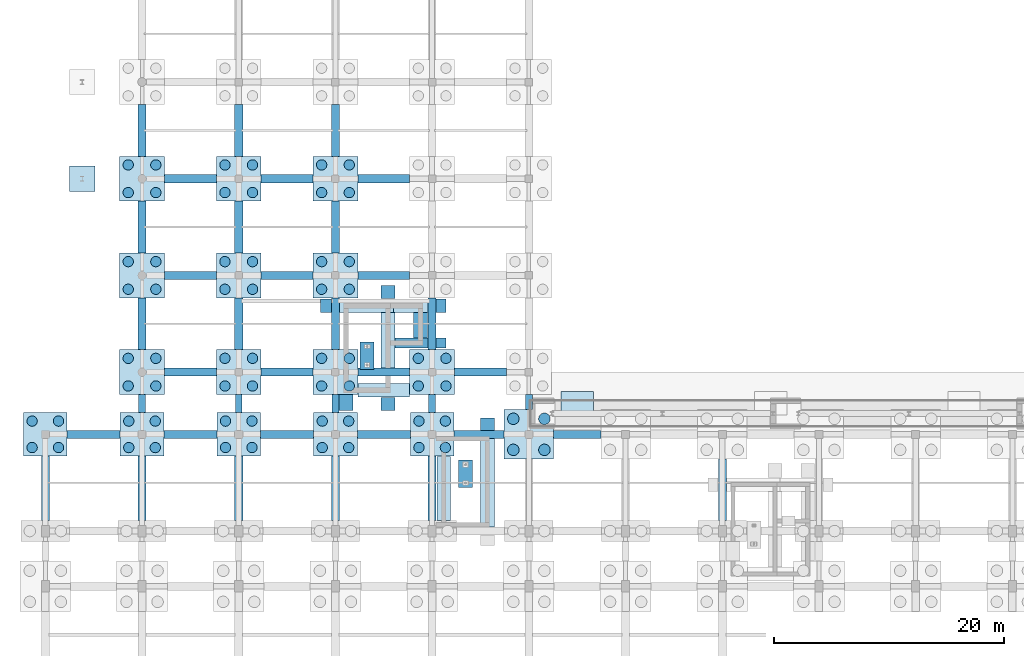
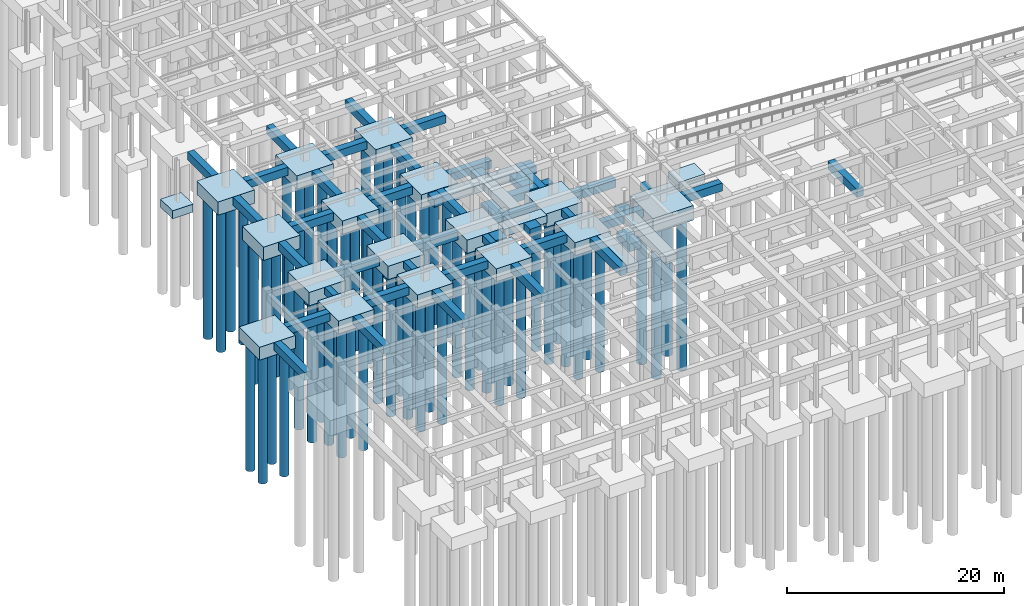
# One storey, part 2 of 49: 72 footings, 64 piles.
"""IFC4 building model written with IfcOpenShell, lengths in metres."""

import ifcopenshell
import ifcopenshell.guid

model = None  # the IFC model being written
_history = None  # IfcOwnerHistory: only IFC2X3 demands one
_inside = {}  # id of a spatial element -> (the spatial element, [elements in it])
_under = {}  # id of a project, library or spatial element -> (it, [spatial elements below it])
_declared = {}  # id of a project -> (the project, [libraries it declares])
_typed = {}  # id of a type object -> (the type object, [elements of that type])
_made_of = {}  # id of a material, layer set ... -> (it, [elements and type objects made of it])


def new_model(schema):
    """Start an empty IFC model of exactly this schema.

    Asked for "IFC4X3", IfcOpenShell would pick the latest addendum, in which some entities
    have other attributes; the version numbers below select the first issue.
    IFC2X3 requires an IfcOwnerHistory on every rooted entity: one is made here for all.
    """
    global model, _history
    if schema == "IFC4X3":
        model = ifcopenshell.file(schema_version=(4, 3, 0, 0))
    else:
        model = ifcopenshell.file(schema=schema)
    _inside.clear()
    _under.clear()
    _declared.clear()
    _typed.clear()
    _made_of.clear()
    _history = None
    if model.schema == "IFC2X3":
        org = make("IfcOrganization", Name="unknown")
        user = make(
            "IfcPersonAndOrganization",
            ThePerson=make("IfcPerson", FamilyName="unknown"),
            TheOrganization=org,
        )
        app = make(
            "IfcApplication",
            ApplicationDeveloper=org,
            Version="unknown",
            ApplicationFullName="unknown",
            ApplicationIdentifier="unknown",
        )
        _history = make(
            "IfcOwnerHistory",
            OwningUser=user,
            OwningApplication=app,
            ChangeAction="ADDED",
            CreationDate=0,
        )
    return model


def make(cls, **values):
    """One entity of the class cls with the attributes given. An attribute that is None is left unset."""
    return model.create_entity(
        cls, **{name: value for name, value in values.items() if value is not None}
    )


def rooted(cls, **values):
    """An entity with a GlobalId (a new one), such as an element, a storey or a relation."""
    return make(cls, GlobalId=ifcopenshell.guid.new(), OwnerHistory=_history, **values)


def si_unit(unit_type, name, prefix=None):
    """IfcSIUnit, for example si_unit("LENGTHUNIT", "METRE", prefix="MILLI")."""
    return make("IfcSIUnit", UnitType=unit_type, Prefix=prefix, Name=name)


def assignment(units):
    """IfcUnitAssignment: the units of a project."""
    return None if units is None else make("IfcUnitAssignment", Units=units)


def point(xyz):
    """IfcCartesianPoint."""
    return None if xyz is None else make("IfcCartesianPoint", Coordinates=xyz)


def direction(xyz):
    """IfcDirection."""
    return None if xyz is None else make("IfcDirection", DirectionRatios=xyz)


def frame(location, z_axis=None, x_axis=None):
    """IfcAxis2Placement3D, a coordinate frame: its origin and axes. An axis left out is left unset."""
    return make(
        "IfcAxis2Placement3D",
        Location=point(location),
        Axis=direction(z_axis),
        RefDirection=direction(x_axis),
    )


def frame_2d(location, x_axis=None):
    """IfcAxis2Placement2D, a coordinate frame in the plane: its origin and x axis."""
    return make(
        "IfcAxis2Placement2D", Location=point(location), RefDirection=direction(x_axis)
    )


def origin():
    """The frame at (0, 0, 0) with its axes left unset."""
    return frame((0.0, 0.0, 0.0))


def origin_2d():
    """The frame at (0, 0) in the plane with its x axis left unset."""
    return frame_2d((0.0, 0.0))


def place(relative_to, where):
    """IfcLocalPlacement: puts the frame where relative to a parent placement (None: the world)."""
    return make(
        "IfcLocalPlacement", PlacementRelTo=relative_to, RelativePlacement=where
    )


def context(
    kind, dimensions, precision=None, world=None, true_north=None, identifier=None
):
    """IfcGeometricRepresentationContext, for example the 3D "Model" context."""
    return make(
        "IfcGeometricRepresentationContext",
        ContextIdentifier=identifier,
        ContextType=kind,
        CoordinateSpaceDimension=dimensions,
        Precision=precision,
        WorldCoordinateSystem=world,
        TrueNorth=true_north,
    )


def subcontext(parent, identifier, kind, view, scale=None):
    """IfcGeometricRepresentationSubContext, for example "Body" below "Model"."""
    return make(
        "IfcGeometricRepresentationSubContext",
        ContextIdentifier=identifier,
        ContextType=kind,
        ParentContext=parent,
        TargetScale=scale,
        TargetView=view,
    )


def project(units=None, contexts=None):
    """IfcProject with its units and contexts."""
    return rooted(
        "IfcProject",
        Name="project",
        RepresentationContexts=contexts,
        UnitsInContext=assignment(units),
    )


def spatial(cls, under=None, at=None, **own):
    """A site, building, storey or space (cls), placed at a placement, below another one or the project."""
    s = rooted(cls, ObjectPlacement=at, **own)
    if under is not None:
        _under.setdefault(under.id(), (under, []))[1].append(s)
    return s


def profile(cls, at=None, kind="AREA", **sizes):
    """A parametric profile (cls). Its sizes go by their IFC names, for example OverallWidth=200.0."""
    return make(cls, ProfileType=kind, Position=at, **sizes)


def rectangle(**sizes):
    """IfcRectangleProfileDef."""
    return profile("IfcRectangleProfileDef", **sizes)


def circle(**sizes):
    """IfcCircleProfileDef."""
    return profile("IfcCircleProfileDef", **sizes)


def extrude(swept, where, along, depth):
    """IfcExtrudedAreaSolid: the profile swept, set in the frame where, extruded along a direction by depth."""
    return make(
        "IfcExtrudedAreaSolid",
        SweptArea=swept,
        Position=where,
        ExtrudedDirection=direction(along),
        Depth=depth,
    )


def shape(context_of_items, identifier, shape_type, items):
    """IfcShapeRepresentation: the items that make up one representation, for example the "Body"."""
    return make(
        "IfcShapeRepresentation",
        ContextOfItems=context_of_items,
        RepresentationIdentifier=identifier,
        RepresentationType=shape_type,
        Items=items,
    )


def material(Name=None, Category=None):
    """IfcMaterial."""
    return make("IfcMaterial", Name=Name, Category=Category)


def material_profile(
    of_material, cross_section, Name=None, Category=None, Priority=None
):
    """IfcMaterialProfile: a cross section and its material."""
    return make(
        "IfcMaterialProfile",
        Name=Name,
        Material=of_material,
        Profile=cross_section,
        Priority=Priority,
        Category=Category,
    )


def profile_set(profiles, Name=None, composite=None):
    """IfcMaterialProfileSet."""
    return make(
        "IfcMaterialProfileSet",
        Name=Name,
        MaterialProfiles=profiles,
        CompositeProfile=composite,
    )


def made_of(thing, what):
    """Note that an element or type object is made of a material, layer set ...; save() writes the relation."""
    if what is not None:
        _made_of.setdefault(what.id(), (what, []))[1].append(thing)
    return thing


def type_object(cls, material=None, **own):
    """A type object (cls), such as IfcWallType, which elements share."""
    return made_of(rooted(cls, **own), material)


def element(
    cls,
    number,
    at=None,
    inside=None,
    cuts=None,
    type_object=None,
    material=None,
    context=None,
    identifier="Body",
    shape_type=None,
    held_by="IfcProductDefinitionShape",
    body=None,
    shapes=None,
    **own,
):
    """One element of the class cls, such as IfcWall. Its Tag is "e" and its number.

    at: its placement. inside: the storey or other place that contains it. cuts: it is an
    opening in that element (IfcRelVoidsElement). A single representation is given by context,
    identifier, shape_type and body (its items); several are given by shapes. held_by: the class
    of the entity that holds the representations. save() writes the other relations.
    """
    e = rooted(cls, Tag="e%d" % number, ObjectPlacement=at, **own)
    if body is not None:
        shapes = [shape(context, identifier, shape_type, body)]
    if shapes is not None:
        e.Representation = make(held_by, Representations=shapes)
    if inside is not None:
        _inside.setdefault(inside.id(), (inside, []))[1].append(e)
    if cuts is not None:
        rooted(
            "IfcRelVoidsElement", RelatingBuildingElement=cuts, RelatedOpeningElement=e
        )
    if type_object is not None:
        _typed.setdefault(type_object.id(), (type_object, []))[1].append(e)
    return made_of(e, material)


def aggregate(whole, parts):
    """IfcRelAggregates: a whole, such as a stair, and the parts it consists of."""
    return rooted("IfcRelAggregates", RelatingObject=whole, RelatedObjects=parts)


def save(model, path):
    """Write the relations noted so far, then the file.

    IfcRelAggregates (storeys below a building ...), IfcRelContainedInSpatialStructure (elements
    in a storey), IfcRelDefinesByType, IfcRelAssociatesMaterial and IfcRelDeclares: one each for
    every whole, place, type object, material and project.
    """
    for whole, parts in _under.values():
        aggregate(whole, parts)
    for where, things in _inside.values():
        rooted(
            "IfcRelContainedInSpatialStructure",
            RelatedElements=things,
            RelatingStructure=where,
        )
    for kind, things in _typed.values():
        rooted("IfcRelDefinesByType", RelatedObjects=things, RelatingType=kind)
    for what, things in _made_of.values():
        rooted("IfcRelAssociatesMaterial", RelatedObjects=things, RelatingMaterial=what)
    for by, libraries in _declared.values():
        rooted("IfcRelDeclares", RelatingContext=by, RelatedDefinitions=libraries)
    model.write(path)


model = new_model("IFC4")

# Units and contexts
model_context = context("Model", 3, precision=1e-05, world=origin(), true_north=direction((0.0, 1.0)))
body_context = subcontext(model_context, "Body", "Model", "MODEL_VIEW")
ifc_project = project(units=[si_unit("LENGTHUNIT", "METRE"), si_unit("AREAUNIT", "SQUARE_METRE"), si_unit("VOLUMEUNIT", "CUBIC_METRE"), si_unit("PLANEANGLEUNIT", "RADIAN"), si_unit("MASSUNIT", "GRAM", prefix="KILO")], contexts=[model_context])

# Site, building, storey
site_placement = place(None, origin())
site = spatial("IfcSite", under=ifc_project, at=site_placement, CompositionType="ELEMENT")
building_placement = place(site_placement, origin())
building = spatial("IfcBuilding", under=site, at=building_placement, Name="Krzemoval Escarpment Law Courts", CompositionType="ELEMENT")
storey_placement = place(building_placement, frame((0.0, 0.0, -4.800048828125)))
storey = spatial("IfcBuildingStorey", under=building, at=storey_placement, Name="B1", CompositionType="ELEMENT", Elevation=-4.800048828125)

# Footings
ifc_material_1 = material(Name="Concrete C35/45", Category="concrete")
footing_type_1 = type_object("IfcFootingType", Name="CAP-4P-3800x3800x1450", PredefinedType="PILE_CAP", material=ifc_material_1)
for number, where, z_axis, x_axis, name in (
    (1, (0.0, 35.39990234375, -1.44970703125), (0.0, 0.0, 1.0), (1.0, 0.0, 0.0), "Pile Cap FC-005"),
    (2, (8.39990234375, 35.39990234375, -1.44970703125), (0.0, 0.0, 1.0), (1.0, 0.0, 0.0), "Pile Cap FC-014"),
    (3, (16.800048828125, 35.39990234375, -1.44970703125), (0.0, 0.0, 1.0), (1.0, 0.0, 0.0), "Pile Cap FC-031"),
    (4, (25.199951171875, 35.39990234375, -1.44970703125), (0.0, 0.0, 1.0), (1.0, 0.0, 0.0), "Pile Cap FC-048"),
    (5, (33.60009765625, 35.39990234375, -1.44970703125), (0.0, 0.0, 1.0), (1.0, 0.0, 0.0), "Pile Cap FC-065"),
):
    element("IfcFooting", number, at=place(storey_placement, frame(where, z_axis=z_axis, x_axis=x_axis)), inside=storey, type_object=footing_type_1, Name=name, PredefinedType="PILE_CAP", context=body_context, shape_type="SweptSolid", body=[
        extrude(rectangle(XDim=3.800048828125, YDim=3.800048828125, at=origin_2d()), origin(), (0.0, 0.0, 1.0), 1.449951171875),
    ])
ifc_material_2 = material(Name="Concrete C35/45", Category="concrete")
footing_type_2 = type_object("IfcFootingType", Name="CAP-4P-3900x3900x1500", PredefinedType="PILE_CAP", material=ifc_material_2)
for number, where, z_axis, x_axis, name in (
    (6, (8.39990234375, 40.800048828125, -1.5), (0.0, 0.0, 1.0), (1.0, 0.0, 0.0), "Pile Cap FC-015"),
    (7, (8.39990234375, 49.199951171875, -1.5), (0.0, 0.0, 1.0), (1.0, 0.0, 0.0), "Pile Cap FC-016"),
    (8, (8.39990234375, 57.60009765625, -1.5), (0.0, 0.0, 1.0), (1.0, 0.0, 0.0), "Pile Cap FC-017"),
    (9, (16.800048828125, 40.800048828125, -1.5), (0.0, 0.0, 1.0), (1.0, 0.0, 0.0), "Pile Cap FC-032"),
    (10, (16.800048828125, 49.199951171875, -1.5), (0.0, 0.0, 1.0), (1.0, 0.0, 0.0), "Pile Cap FC-033"),
    (11, (16.800048828125, 57.60009765625, -1.5), (0.0, 0.0, 1.0), (1.0, 0.0, 0.0), "Pile Cap FC-034"),
    (12, (25.199951171875, 40.800048828125, -1.5), (0.0, 0.0, 1.0), (1.0, 0.0, 0.0), "Pile Cap FC-049"),
    (13, (25.199951171875, 49.199951171875, -1.5), (0.0, 0.0, 1.0), (1.0, 0.0, 0.0), "Pile Cap FC-050"),
    (14, (25.199951171875, 57.60009765625, -1.5), (0.0, 0.0, 1.0), (1.0, 0.0, 0.0), "Pile Cap FC-051"),
    (15, (33.60009765625, 40.800048828125, -1.5), (0.0, 0.0, 1.0), (1.0, 0.0, 0.0), "Pile Cap FC-066"),
):
    element("IfcFooting", number, at=place(storey_placement, frame(where, z_axis=z_axis, x_axis=x_axis)), inside=storey, type_object=footing_type_2, Name=name, PredefinedType="PILE_CAP", context=body_context, shape_type="SweptSolid", body=[
        extrude(rectangle(XDim=3.89990234375, YDim=3.89990234375, at=origin_2d()), origin(), (0.0, 0.0, 1.0), 1.5),
    ])
ifc_material_3 = material(Name="Concrete C35/45", Category="concrete")
footing_type_3 = type_object("IfcFootingType", Name="CAP-4P-4300x4300x1650", PredefinedType="PILE_CAP", material=ifc_material_3)
footing_1_placement = place(storey_placement, frame((42.0, 35.39990234375, -1.64990234375), z_axis=(0.0, 0.0, 1.0), x_axis=(1.0, 0.0, 0.0)))
element("IfcFooting", 16, at=footing_1_placement, inside=storey, type_object=footing_type_3, Name="Pile Cap FC-082", PredefinedType="PILE_CAP", context=body_context, shape_type="SweptSolid", body=[
    extrude(rectangle(XDim=4.300048828125, YDim=4.300048828125, at=origin_2d()), origin(), (0.0, 0.0, 1.0), 1.64990234375),
])
ifc_material_4 = material(Name="Concrete C35/45", Category="concrete")
footing_type_4 = type_object("IfcFootingType", Name="GB-600x800-L1300", PredefinedType="FOOTING_BEAM", material=ifc_material_4)
footing_2_placement = place(storey_placement, frame((42.0, 38.199951171875, -0.7998046875), z_axis=(0.0, 0.0, 1.0), x_axis=(0.0, 1.0, 0.0)))
element("IfcFooting", 17, at=footing_2_placement, inside=storey, type_object=footing_type_4, Name="Ground Tie Beam GB-288", PredefinedType="FOOTING_BEAM", context=body_context, shape_type="SweptSolid", body=[
    extrude(rectangle(XDim=1.300048828125, YDim=0.60009765625, at=origin_2d()), origin(), (0.0, 0.0, 1.0), 0.800048828125),
])
ifc_material_5 = material(Name="Concrete C35/45", Category="concrete")
footing_type_5 = type_object("IfcFootingType", Name="GB-600x800-L1550", PredefinedType="FOOTING_BEAM", material=ifc_material_5)
for number, where, z_axis, x_axis, name in (
    (18, (8.39990234375, 38.074951171875, -0.7998046875), (0.0, 0.0, 1.0), (0.0, 1.0, 0.0), "Ground Tie Beam GB-225"),
    (19, (16.800048828125, 38.074951171875, -0.7998046875), (0.0, 0.0, 1.0), (0.0, 1.0, 0.0), "Ground Tie Beam GB-241"),
    (20, (25.199951171875, 38.074951171875, -0.7998046875), (0.0, 0.0, 1.0), (0.0, 1.0, 0.0), "Ground Tie Beam GB-257"),
    (21, (33.60009765625, 38.074951171875, -0.7998046875), (0.0, 0.0, 1.0), (0.0, 1.0, 0.0), "Ground Tie Beam GB-273"),
):
    element("IfcFooting", number, at=place(storey_placement, frame(where, z_axis=z_axis, x_axis=x_axis)), inside=storey, type_object=footing_type_5, Name=name, PredefinedType="FOOTING_BEAM", context=body_context, shape_type="SweptSolid", body=[
        extrude(rectangle(XDim=1.550048828125, YDim=0.60009765625, at=origin_2d()), origin(), (0.0, 0.0, 1.0), 0.800048828125),
    ])
ifc_material_6 = material(Name="Concrete C35/45", Category="concrete")
footing_type_6 = type_object("IfcFootingType", Name="GB-700x900-L4100", PredefinedType="FOOTING_BEAM", material=ifc_material_6)
footing_3_placement = place(storey_placement, frame((46.199951171875, 35.39990234375, -0.89990234375), z_axis=(0.0, 0.0, 1.0), x_axis=(1.0, 0.0, 0.0)))
element("IfcFooting", 22, at=footing_3_placement, inside=storey, type_object=footing_type_6, Name="Ground Tie Beam GB-066", PredefinedType="FOOTING_BEAM", context=body_context, shape_type="SweptSolid", body=[
    extrude(rectangle(XDim=4.10009765625, YDim=0.699951171875, at=origin_2d()), origin(), (0.0, 0.0, 1.0), 0.89990234375),
])
ifc_material_7 = material(Name="Concrete C35/45", Category="concrete")
footing_type_7 = type_object("IfcFootingType", Name="GB-700x900-L4350", PredefinedType="FOOTING_BEAM", material=ifc_material_7)
footing_4_placement = place(storey_placement, frame((37.675048828125, 35.39990234375, -0.89990234375), z_axis=(0.0, 0.0, 1.0), x_axis=(1.0, 0.0, 0.0)))
element("IfcFooting", 23, at=footing_4_placement, inside=storey, type_object=footing_type_7, Name="Ground Tie Beam GB-065", PredefinedType="FOOTING_BEAM", context=body_context, shape_type="SweptSolid", body=[
    extrude(rectangle(XDim=4.35009765625, YDim=0.699951171875, at=origin_2d()), origin(), (0.0, 0.0, 1.0), 0.89990234375),
])
ifc_material_8 = material(Name="Concrete C35/45", Category="concrete")
footing_type_8 = type_object("IfcFootingType", Name="GB-700x900-L4500", PredefinedType="FOOTING_BEAM", material=ifc_material_8)
for number, where, z_axis, x_axis, name in (
    (24, (12.60009765625, 40.800048828125, -0.89990234375), (0.0, 0.0, 1.0), (1.0, 0.0, 0.0), "Ground Tie Beam GB-079"),
    (25, (21.0, 40.800048828125, -0.89990234375), (0.0, 0.0, 1.0), (1.0, 0.0, 0.0), "Ground Tie Beam GB-080"),
    (26, (29.39990234375, 40.800048828125, -0.89990234375), (0.0, 0.0, 1.0), (1.0, 0.0, 0.0), "Ground Tie Beam GB-081"),
    (27, (37.800048828125, 40.800048828125, -0.89990234375), (0.0, 0.0, 1.0), (1.0, 0.0, 0.0), "Ground Tie Beam GB-082"),
    (28, (12.60009765625, 49.199951171875, -0.89990234375), (0.0, 0.0, 1.0), (1.0, 0.0, 0.0), "Ground Tie Beam GB-092"),
    (29, (21.0, 49.199951171875, -0.89990234375), (0.0, 0.0, 1.0), (1.0, 0.0, 0.0), "Ground Tie Beam GB-093"),
    (30, (29.39990234375, 49.199951171875, -0.89990234375), (0.0, 0.0, 1.0), (1.0, 0.0, 0.0), "Ground Tie Beam GB-094"),
    (31, (12.60009765625, 57.60009765625, -0.89990234375), (0.0, 0.0, 1.0), (1.0, 0.0, 0.0), "Ground Tie Beam GB-102"),
    (32, (21.0, 57.60009765625, -0.89990234375), (0.0, 0.0, 1.0), (1.0, 0.0, 0.0), "Ground Tie Beam GB-103"),
    (33, (29.39990234375, 57.60009765625, -0.89990234375), (0.0, 0.0, 1.0), (1.0, 0.0, 0.0), "Ground Tie Beam GB-104"),
    (34, (8.39990234375, 45.0, -0.89990234375), (0.0, 0.0, 1.0), (0.0, 1.0, 0.0), "Ground Tie Beam GB-226"),
    (35, (8.39990234375, 53.39990234375, -0.89990234375), (0.0, 0.0, 1.0), (0.0, 1.0, 0.0), "Ground Tie Beam GB-227"),
    (36, (8.39990234375, 61.800048828125, -0.89990234375), (0.0, 0.0, 1.0), (0.0, 1.0, 0.0), "Ground Tie Beam GB-228"),
    (37, (16.800048828125, 45.0, -0.89990234375), (0.0, 0.0, 1.0), (0.0, 1.0, 0.0), "Ground Tie Beam GB-242"),
    (38, (16.800048828125, 53.39990234375, -0.89990234375), (0.0, 0.0, 1.0), (0.0, 1.0, 0.0), "Ground Tie Beam GB-243"),
    (39, (16.800048828125, 61.800048828125, -0.89990234375), (0.0, 0.0, 1.0), (0.0, 1.0, 0.0), "Ground Tie Beam GB-244"),
    (40, (25.199951171875, 45.0, -0.89990234375), (0.0, 0.0, 1.0), (0.0, 1.0, 0.0), "Ground Tie Beam GB-258"),
    (41, (25.199951171875, 53.39990234375, -0.89990234375), (0.0, 0.0, 1.0), (0.0, 1.0, 0.0), "Ground Tie Beam GB-259"),
    (42, (25.199951171875, 61.800048828125, -0.89990234375), (0.0, 0.0, 1.0), (0.0, 1.0, 0.0), "Ground Tie Beam GB-260"),
    (43, (33.60009765625, 45.0, -0.89990234375), (0.0, 0.0, 1.0), (0.0, 1.0, 0.0), "Ground Tie Beam GB-274"),
):
    element("IfcFooting", number, at=place(storey_placement, frame(where, z_axis=z_axis, x_axis=x_axis)), inside=storey, type_object=footing_type_8, Name=name, PredefinedType="FOOTING_BEAM", context=body_context, shape_type="SweptSolid", body=[
        extrude(rectangle(XDim=4.5, YDim=0.699951171875, at=origin_2d()), origin(), (0.0, 0.0, 1.0), 0.89990234375),
    ])
ifc_material_9 = material(Name="Concrete C35/45", Category="concrete")
footing_type_9 = type_object("IfcFootingType", Name="GB-700x900-L4600", PredefinedType="FOOTING_BEAM", material=ifc_material_9)
for number, where, z_axis, x_axis, name in (
    (44, (4.199951171875, 35.39990234375, -0.89990234375), (0.0, 0.0, 1.0), (1.0, 0.0, 0.0), "Ground Tie Beam GB-061"),
    (45, (12.60009765625, 35.39990234375, -0.89990234375), (0.0, 0.0, 1.0), (1.0, 0.0, 0.0), "Ground Tie Beam GB-062"),
    (46, (21.0, 35.39990234375, -0.89990234375), (0.0, 0.0, 1.0), (1.0, 0.0, 0.0), "Ground Tie Beam GB-063"),
    (47, (29.39990234375, 35.39990234375, -0.89990234375), (0.0, 0.0, 1.0), (1.0, 0.0, 0.0), "Ground Tie Beam GB-064"),
):
    element("IfcFooting", number, at=place(storey_placement, frame(where, z_axis=z_axis, x_axis=x_axis)), inside=storey, type_object=footing_type_9, Name=name, PredefinedType="FOOTING_BEAM", context=body_context, shape_type="SweptSolid", body=[
        extrude(rectangle(XDim=4.60009765625, YDim=0.699951171875, at=origin_2d()), origin(), (0.0, 0.0, 1.0), 0.89990234375),
    ])
ifc_material_10 = material(Name="Concrete C35/45", Category="concrete")
footing_type_10 = type_object("IfcFootingType", Name="GB-700x900-L5350", PredefinedType="FOOTING_BEAM", material=ifc_material_10)
footing_5_placement = place(storey_placement, frame((58.800048828125, 30.574951171875, -0.89990234375), z_axis=(0.0, 0.0, 1.0), x_axis=(0.0, 1.0, 0.0)))
element("IfcFooting", 48, at=footing_5_placement, inside=storey, type_object=footing_type_10, Name="Ground Tie Beam GB-307", PredefinedType="FOOTING_BEAM", context=body_context, shape_type="SweptSolid", body=[
    extrude(rectangle(XDim=5.35009765625, YDim=0.699951171875, at=origin_2d()), origin(), (0.0, 0.0, 1.0), 0.89990234375),
])
ifc_material_11 = material(Name="Concrete C35/45", Category="concrete")
footing_type_11 = type_object("IfcFootingType", Name="GB-700x900-L5600", PredefinedType="FOOTING_BEAM", material=ifc_material_11)
for number, where, z_axis, x_axis, name in (
    (49, (0.0, 30.699951171875, -0.89990234375), (0.0, 0.0, 1.0), (0.0, 1.0, 0.0), "Ground Tie Beam GB-217"),
    (50, (8.39990234375, 30.699951171875, -0.89990234375), (0.0, 0.0, 1.0), (0.0, 1.0, 0.0), "Ground Tie Beam GB-224"),
    (51, (16.800048828125, 30.699951171875, -0.89990234375), (0.0, 0.0, 1.0), (0.0, 1.0, 0.0), "Ground Tie Beam GB-240"),
    (52, (25.199951171875, 30.699951171875, -0.89990234375), (0.0, 0.0, 1.0), (0.0, 1.0, 0.0), "Ground Tie Beam GB-256"),
    (53, (33.60009765625, 30.699951171875, -0.89990234375), (0.0, 0.0, 1.0), (0.0, 1.0, 0.0), "Ground Tie Beam GB-272"),
):
    element("IfcFooting", number, at=place(storey_placement, frame(where, z_axis=z_axis, x_axis=x_axis)), inside=storey, type_object=footing_type_11, Name=name, PredefinedType="FOOTING_BEAM", context=body_context, shape_type="SweptSolid", body=[
        extrude(rectangle(XDim=5.60009765625, YDim=0.699951171875, at=origin_2d()), origin(), (0.0, 0.0, 1.0), 0.89990234375),
    ])
ifc_material_12 = material(Name="Concrete C35/45", Category="concrete")
footing_type_12 = type_object("IfcFootingType", Name="PAD-2200x2200x900", PredefinedType="PAD_FOOTING", material=ifc_material_12)
footing_6_placement = place(storey_placement, frame((3.199951171875, 57.60009765625, -0.89990234375), z_axis=(0.0, 0.0, 1.0), x_axis=(1.0, 0.0, 0.0)))
element("IfcFooting", 54, at=footing_6_placement, inside=storey, type_object=footing_type_12, Name="Pad Footing PF-001", PredefinedType="PAD_FOOTING", context=body_context, shape_type="SweptSolid", body=[
    extrude(rectangle(XDim=2.199951171875, YDim=2.199951171875, at=origin_2d()), origin(), (0.0, 0.0, 1.0), 0.89990234375),
])
ifc_material_13 = material(Name="Concrete C35/45", Category="concrete")
footing_type_13 = type_object("IfcFootingType", Name="PAD-2800x2000x950", PredefinedType="PAD_FOOTING", material=ifc_material_13)
footing_7_placement = place(storey_placement, frame((46.199951171875, 38.10009765625, -0.94970703125), z_axis=(0.0, 0.0, 1.0), x_axis=(1.0, 0.0, 0.0)))
element("IfcFooting", 55, at=footing_7_placement, inside=storey, type_object=footing_type_13, Name="Pad Footing PF-005", PredefinedType="PAD_FOOTING", context=body_context, shape_type="SweptSolid", body=[
    extrude(rectangle(XDim=2.800048828125, YDim=2.0, at=origin_2d()), origin(), (0.0, 0.0, 1.0), 0.949951171875),
])

# Piles
ifc_material_14 = material(Name="Concrete C35/45", Category="concrete")
ifc_material_profile_1 = material_profile(ifc_material_14, circle(Radius=0.5, at=origin_2d()), Name="PILE D1000")
ifc_profile_set_1 = profile_set([ifc_material_profile_1], Name="Concrete C35/45")
pile_type_1 = type_object("IfcPileType", Name="PILE-D1000-17M", PredefinedType="BORED", material=ifc_profile_set_1)
for number, where, z_axis, x_axis, name in (
    (56, (40.64990234375, 34.050048828125, -1.5), (0.0, 0.0, -1.0), (1.0, 0.0, 0.0), "Bored Pile FP-0289"),
    (57, (43.35009765625, 34.050048828125, -1.5), (0.0, 0.0, -1.0), (1.0, 0.0, 0.0), "Bored Pile FP-0290"),
    (58, (40.64990234375, 36.75, -1.5), (0.0, 0.0, -1.0), (1.0, 0.0, 0.0), "Bored Pile FP-0291"),
    (59, (43.35009765625, 36.75, -1.5), (0.0, 0.0, -1.0), (1.0, 0.0, 0.0), "Bored Pile FP-0292"),
):
    element("IfcPile", number, at=place(storey_placement, frame(where, z_axis=z_axis, x_axis=x_axis)), inside=storey, type_object=pile_type_1, Name=name, PredefinedType="BORED", context=body_context, shape_type="SweptSolid", body=[
        extrude(circle(Radius=0.5, at=origin_2d()), origin(), (0.0, 0.0, 1.0), 17.0),
    ])
ifc_material_15 = material(Name="Concrete C35/45", Category="concrete")
ifc_material_profile_2 = material_profile(ifc_material_15, circle(Radius=0.449951171875, at=origin_2d()), Name="PILE D900")
ifc_profile_set_2 = profile_set([ifc_material_profile_2], Name="Concrete C35/45")
pile_type_2 = type_object("IfcPileType", Name="PILE-D750-14M", PredefinedType="BORED", material=ifc_profile_set_2)
for number, where, z_axis, x_axis, name in (
    (60, (-1.14990234375, 34.25, -1.300048828125), (0.0, 0.0, -1.0), (1.0, 0.0, 0.0), "Bored Pile FP-0015"),
    (61, (1.14990234375, 34.25, -1.300048828125), (0.0, 0.0, -1.0), (1.0, 0.0, 0.0), "Bored Pile FP-0016"),
    (62, (-1.14990234375, 36.550048828125, -1.300048828125), (0.0, 0.0, -1.0), (1.0, 0.0, 0.0), "Bored Pile FP-0017"),
    (63, (1.14990234375, 36.550048828125, -1.300048828125), (0.0, 0.0, -1.0), (1.0, 0.0, 0.0), "Bored Pile FP-0018"),
    (64, (7.25, 34.25, -1.300048828125), (0.0, 0.0, -1.0), (1.0, 0.0, 0.0), "Bored Pile FP-0049"),
    (65, (9.550048828125, 34.25, -1.300048828125), (0.0, 0.0, -1.0), (1.0, 0.0, 0.0), "Bored Pile FP-0050"),
    (66, (7.25, 36.550048828125, -1.300048828125), (0.0, 0.0, -1.0), (1.0, 0.0, 0.0), "Bored Pile FP-0051"),
    (67, (9.550048828125, 36.550048828125, -1.300048828125), (0.0, 0.0, -1.0), (1.0, 0.0, 0.0), "Bored Pile FP-0052"),
    (68, (15.64990234375, 34.25, -1.300048828125), (0.0, 0.0, -1.0), (1.0, 0.0, 0.0), "Bored Pile FP-0109"),
    (69, (17.949951171875, 34.25, -1.300048828125), (0.0, 0.0, -1.0), (1.0, 0.0, 0.0), "Bored Pile FP-0110"),
    (70, (15.64990234375, 36.550048828125, -1.300048828125), (0.0, 0.0, -1.0), (1.0, 0.0, 0.0), "Bored Pile FP-0111"),
    (71, (17.949951171875, 36.550048828125, -1.300048828125), (0.0, 0.0, -1.0), (1.0, 0.0, 0.0), "Bored Pile FP-0112"),
    (72, (24.050048828125, 34.25, -1.300048828125), (0.0, 0.0, -1.0), (1.0, 0.0, 0.0), "Bored Pile FP-0169"),
    (73, (26.35009765625, 34.25, -1.300048828125), (0.0, 0.0, -1.0), (1.0, 0.0, 0.0), "Bored Pile FP-0170"),
    (74, (24.050048828125, 36.550048828125, -1.300048828125), (0.0, 0.0, -1.0), (1.0, 0.0, 0.0), "Bored Pile FP-0171"),
    (75, (26.35009765625, 36.550048828125, -1.300048828125), (0.0, 0.0, -1.0), (1.0, 0.0, 0.0), "Bored Pile FP-0172"),
    (76, (32.449951171875, 34.25, -1.300048828125), (0.0, 0.0, -1.0), (1.0, 0.0, 0.0), "Bored Pile FP-0229"),
    (77, (34.75, 34.25, -1.300048828125), (0.0, 0.0, -1.0), (1.0, 0.0, 0.0), "Bored Pile FP-0230"),
    (78, (32.449951171875, 36.550048828125, -1.300048828125), (0.0, 0.0, -1.0), (1.0, 0.0, 0.0), "Bored Pile FP-0231"),
    (79, (34.75, 36.550048828125, -1.300048828125), (0.0, 0.0, -1.0), (1.0, 0.0, 0.0), "Bored Pile FP-0232"),
):
    element("IfcPile", number, at=place(storey_placement, frame(where, z_axis=z_axis, x_axis=x_axis)), inside=storey, type_object=pile_type_2, Name=name, PredefinedType="BORED", context=body_context, shape_type="SweptSolid", body=[
        extrude(circle(Radius=0.449951171875, at=origin_2d()), origin(), (0.0, 0.0, 1.0), 14.5),
    ])
ifc_material_16 = material(Name="Concrete C35/45", Category="concrete")
ifc_material_profile_3 = material_profile(ifc_material_16, circle(Radius=0.449951171875, at=origin_2d()), Name="PILE D900")
ifc_profile_set_3 = profile_set([ifc_material_profile_3], Name="Concrete C35/45")
pile_type_3 = type_object("IfcPileType", Name="PILE-D900-16M", PredefinedType="BORED", material=ifc_profile_set_3)
for number, where, z_axis, x_axis, name in (
    (80, (7.199951171875, 39.60009765625, -1.349853515625), (0.0, 0.0, -1.0), (1.0, 0.0, 0.0), "Bored Pile FP-0053"),
    (81, (9.60009765625, 39.60009765625, -1.349853515625), (0.0, 0.0, -1.0), (1.0, 0.0, 0.0), "Bored Pile FP-0054"),
    (82, (7.199951171875, 42.0, -1.349853515625), (0.0, 0.0, -1.0), (1.0, 0.0, 0.0), "Bored Pile FP-0055"),
    (83, (9.60009765625, 42.0, -1.349853515625), (0.0, 0.0, -1.0), (1.0, 0.0, 0.0), "Bored Pile FP-0056"),
    (84, (7.199951171875, 48.0, -1.349853515625), (0.0, 0.0, -1.0), (1.0, 0.0, 0.0), "Bored Pile FP-0057"),
    (85, (9.60009765625, 48.0, -1.349853515625), (0.0, 0.0, -1.0), (1.0, 0.0, 0.0), "Bored Pile FP-0058"),
    (86, (7.199951171875, 50.39990234375, -1.349853515625), (0.0, 0.0, -1.0), (1.0, 0.0, 0.0), "Bored Pile FP-0059"),
    (87, (9.60009765625, 50.39990234375, -1.349853515625), (0.0, 0.0, -1.0), (1.0, 0.0, 0.0), "Bored Pile FP-0060"),
    (88, (7.199951171875, 56.39990234375, -1.349853515625), (0.0, 0.0, -1.0), (1.0, 0.0, 0.0), "Bored Pile FP-0061"),
    (89, (9.60009765625, 56.39990234375, -1.349853515625), (0.0, 0.0, -1.0), (1.0, 0.0, 0.0), "Bored Pile FP-0062"),
    (90, (7.199951171875, 58.800048828125, -1.349853515625), (0.0, 0.0, -1.0), (1.0, 0.0, 0.0), "Bored Pile FP-0063"),
    (91, (9.60009765625, 58.800048828125, -1.349853515625), (0.0, 0.0, -1.0), (1.0, 0.0, 0.0), "Bored Pile FP-0064"),
    (92, (15.60009765625, 39.60009765625, -1.349853515625), (0.0, 0.0, -1.0), (1.0, 0.0, 0.0), "Bored Pile FP-0113"),
    (93, (18.0, 39.60009765625, -1.349853515625), (0.0, 0.0, -1.0), (1.0, 0.0, 0.0), "Bored Pile FP-0114"),
    (94, (15.60009765625, 42.0, -1.349853515625), (0.0, 0.0, -1.0), (1.0, 0.0, 0.0), "Bored Pile FP-0115"),
    (95, (18.0, 42.0, -1.349853515625), (0.0, 0.0, -1.0), (1.0, 0.0, 0.0), "Bored Pile FP-0116"),
    (96, (15.60009765625, 48.0, -1.349853515625), (0.0, 0.0, -1.0), (1.0, 0.0, 0.0), "Bored Pile FP-0117"),
    (97, (18.0, 48.0, -1.349853515625), (0.0, 0.0, -1.0), (1.0, 0.0, 0.0), "Bored Pile FP-0118"),
    (98, (15.60009765625, 50.39990234375, -1.349853515625), (0.0, 0.0, -1.0), (1.0, 0.0, 0.0), "Bored Pile FP-0119"),
    (99, (18.0, 50.39990234375, -1.349853515625), (0.0, 0.0, -1.0), (1.0, 0.0, 0.0), "Bored Pile FP-0120"),
    (100, (15.60009765625, 56.39990234375, -1.349853515625), (0.0, 0.0, -1.0), (1.0, 0.0, 0.0), "Bored Pile FP-0121"),
    (101, (18.0, 56.39990234375, -1.349853515625), (0.0, 0.0, -1.0), (1.0, 0.0, 0.0), "Bored Pile FP-0122"),
    (102, (15.60009765625, 58.800048828125, -1.349853515625), (0.0, 0.0, -1.0), (1.0, 0.0, 0.0), "Bored Pile FP-0123"),
    (103, (18.0, 58.800048828125, -1.349853515625), (0.0, 0.0, -1.0), (1.0, 0.0, 0.0), "Bored Pile FP-0124"),
    (104, (24.0, 39.60009765625, -1.349853515625), (0.0, 0.0, -1.0), (1.0, 0.0, 0.0), "Bored Pile FP-0173"),
    (105, (26.39990234375, 39.60009765625, -1.349853515625), (0.0, 0.0, -1.0), (1.0, 0.0, 0.0), "Bored Pile FP-0174"),
    (106, (24.0, 42.0, -1.349853515625), (0.0, 0.0, -1.0), (1.0, 0.0, 0.0), "Bored Pile FP-0175"),
    (107, (26.39990234375, 42.0, -1.349853515625), (0.0, 0.0, -1.0), (1.0, 0.0, 0.0), "Bored Pile FP-0176"),
    (108, (24.0, 48.0, -1.349853515625), (0.0, 0.0, -1.0), (1.0, 0.0, 0.0), "Bored Pile FP-0177"),
    (109, (26.39990234375, 48.0, -1.349853515625), (0.0, 0.0, -1.0), (1.0, 0.0, 0.0), "Bored Pile FP-0178"),
    (110, (24.0, 50.39990234375, -1.349853515625), (0.0, 0.0, -1.0), (1.0, 0.0, 0.0), "Bored Pile FP-0179"),
    (111, (26.39990234375, 50.39990234375, -1.349853515625), (0.0, 0.0, -1.0), (1.0, 0.0, 0.0), "Bored Pile FP-0180"),
    (112, (24.0, 56.39990234375, -1.349853515625), (0.0, 0.0, -1.0), (1.0, 0.0, 0.0), "Bored Pile FP-0181"),
    (113, (26.39990234375, 56.39990234375, -1.349853515625), (0.0, 0.0, -1.0), (1.0, 0.0, 0.0), "Bored Pile FP-0182"),
    (114, (24.0, 58.800048828125, -1.349853515625), (0.0, 0.0, -1.0), (1.0, 0.0, 0.0), "Bored Pile FP-0183"),
    (115, (26.39990234375, 58.800048828125, -1.349853515625), (0.0, 0.0, -1.0), (1.0, 0.0, 0.0), "Bored Pile FP-0184"),
    (116, (32.39990234375, 39.60009765625, -1.349853515625), (0.0, 0.0, -1.0), (1.0, 0.0, 0.0), "Bored Pile FP-0233"),
    (117, (34.800048828125, 39.60009765625, -1.349853515625), (0.0, 0.0, -1.0), (1.0, 0.0, 0.0), "Bored Pile FP-0234"),
    (118, (32.39990234375, 42.0, -1.349853515625), (0.0, 0.0, -1.0), (1.0, 0.0, 0.0), "Bored Pile FP-0235"),
    (119, (34.800048828125, 42.0, -1.349853515625), (0.0, 0.0, -1.0), (1.0, 0.0, 0.0), "Bored Pile FP-0236"),
):
    element("IfcPile", number, at=place(storey_placement, frame(where, z_axis=z_axis, x_axis=x_axis)), inside=storey, type_object=pile_type_3, Name=name, PredefinedType="BORED", context=body_context, shape_type="SweptSolid", body=[
        extrude(circle(Radius=0.449951171875, at=origin_2d()), origin(), (0.0, 0.0, 1.0), 16.0),
    ])

# Footings
ifc_material_17 = material(Name="Concrete C35/45", Category="concrete")
footing_type_14 = type_object("IfcFootingType", Name="SF-1043x850-L1200", PredefinedType="STRIP_FOOTING", material=ifc_material_17)
footing_8_placement = place(storey_placement, frame((38.39990234375, 36.27587890625, -0.85009765625), z_axis=(0.0, 0.0, 1.0), x_axis=(1.0, 0.0, 0.0)))
element("IfcFooting", 120, at=footing_8_placement, inside=storey, type_object=footing_type_14, Name="Wall Strip Footing SF-032", PredefinedType="STRIP_FOOTING", context=body_context, shape_type="SweptSolid", body=[
    extrude(rectangle(XDim=1.199951171875, YDim=1.04296875, at=origin_2d()), origin(), (0.0, 0.0, 1.0), 0.85009765625),
])
ifc_material_18 = material(Name="Concrete C35/45", Category="concrete")
footing_type_15 = type_object("IfcFootingType", Name="SF-1168x850-L1200", PredefinedType="STRIP_FOOTING", material=ifc_material_18)
for number, where, z_axis, x_axis, name in (
    (121, (29.77490234375, 38.035888671875, -0.85009765625), (0.0, 0.0, 1.0), (1.0, 0.0, 0.0), "Wall Strip Footing SF-021"),
    (122, (29.77490234375, 47.763916015625, -0.85009765625), (0.0, 0.0, 1.0), (1.0, 0.0, 0.0), "Wall Strip Footing SF-023"),
):
    element("IfcFooting", number, at=place(storey_placement, frame(where, z_axis=z_axis, x_axis=x_axis)), inside=storey, type_object=footing_type_15, Name=name, PredefinedType="STRIP_FOOTING", context=body_context, shape_type="SweptSolid", body=[
        extrude(rectangle(XDim=1.199951171875, YDim=1.16796875, at=origin_2d()), origin(), (0.0, 0.0, 1.0), 0.85009765625),
    ])
ifc_material_19 = material(Name="Concrete C35/45", Category="concrete")
footing_type_16 = type_object("IfcFootingType", Name="SF-1200x850-L1393", PredefinedType="STRIP_FOOTING", material=ifc_material_19)
footing_9_placement = place(storey_placement, frame((26.125, 38.14794921875, -0.85009765625), z_axis=(0.0, 0.0, 1.0), x_axis=(0.0, 1.0, 0.0)))
element("IfcFooting", 123, at=footing_9_placement, inside=storey, type_object=footing_type_16, Name="Wall Strip Footing SF-020", PredefinedType="STRIP_FOOTING", context=body_context, shape_type="SweptSolid", body=[
    extrude(rectangle(XDim=1.39306640625, YDim=1.199951171875, at=origin_2d()), origin(), (0.0, 0.0, 1.0), 0.85009765625),
])
ifc_material_20 = material(Name="Concrete C35/45", Category="concrete")
footing_type_17 = type_object("IfcFootingType", Name="SF-1200x850-L2215", PredefinedType="STRIP_FOOTING", material=ifc_material_20)
footing_10_placement = place(storey_placement, frame((32.574951171875, 44.862060546875, -0.85009765625), z_axis=(0.0, 0.0, 1.0), x_axis=(0.0, 1.0, 0.0)))
element("IfcFooting", 124, at=footing_10_placement, inside=storey, type_object=footing_type_17, Name="Wall Strip Footing SF-028", PredefinedType="STRIP_FOOTING", context=body_context, shape_type="SweptSolid", body=[
    extrude(rectangle(XDim=2.215087890625, YDim=1.199951171875, at=origin_2d()), origin(), (0.0, 0.0, 1.0), 0.85009765625),
])
ifc_material_21 = material(Name="Concrete C35/45", Category="concrete")
footing_type_18 = type_object("IfcFootingType", Name="SF-1200x850-L2400", PredefinedType="STRIP_FOOTING", material=ifc_material_21)
for number, where, z_axis, x_axis, name in (
    (125, (27.949951171875, 42.22998046875, -0.85009765625), (0.0, 0.0, 1.0), (0.0, 1.0, 0.0), "Stair Well Footing PF-SCP-C5"),
    (126, (36.5, 31.969970703125, -0.85009765625), (0.0, 0.0, 1.0), (0.0, 1.0, 0.0), "Stair Well Footing PF-SCP-C7"),
):
    element("IfcFooting", number, at=place(storey_placement, frame(where, z_axis=z_axis, x_axis=x_axis)), inside=storey, type_object=footing_type_18, Name=name, PredefinedType="STRIP_FOOTING", context=body_context, shape_type="SweptSolid", body=[
        extrude(rectangle(XDim=2.39990234375, YDim=1.199951171875, at=origin_2d()), origin(), (0.0, 0.0, 1.0), 0.85009765625),
    ])
ifc_material_22 = material(Name="Concrete C35/45", Category="concrete")
footing_type_19 = type_object("IfcFootingType", Name="SF-1200x850-L2990", PredefinedType="STRIP_FOOTING", material=ifc_material_22)
footing_11_placement = place(storey_placement, frame((31.75, 46.574951171875, -0.85009765625), z_axis=(0.0, 0.0, 1.0), x_axis=(1.0, 0.0, 0.0)))
element("IfcFooting", 127, at=footing_11_placement, inside=storey, type_object=footing_type_19, Name="Wall Strip Footing SF-026", PredefinedType="STRIP_FOOTING", context=body_context, shape_type="SweptSolid", body=[
    extrude(rectangle(XDim=2.989990234375, YDim=1.199951171875, at=origin_2d()), origin(), (0.0, 0.0, 1.0), 0.85009765625),
])
ifc_material_23 = material(Name="Concrete C35/45", Category="concrete")
footing_type_20 = type_object("IfcFootingType", Name="SF-1200x850-L4490", PredefinedType="STRIP_FOOTING", material=ifc_material_23)
footing_12_placement = place(storey_placement, frame((29.39990234375, 39.22509765625, -0.85009765625), z_axis=(0.0, 0.0, 1.0), x_axis=(1.0, 0.0, 0.0)))
element("IfcFooting", 128, at=footing_12_placement, inside=storey, type_object=footing_type_20, Name="Wall Strip Footing SF-019", PredefinedType="STRIP_FOOTING", context=body_context, shape_type="SweptSolid", body=[
    extrude(rectangle(XDim=4.489990234375, YDim=1.199951171875, at=origin_2d()), origin(), (0.0, 0.0, 1.0), 0.85009765625),
])
ifc_material_24 = material(Name="Concrete C35/45", Category="concrete")
footing_type_21 = type_object("IfcFootingType", Name="SF-1200x850-L4695", PredefinedType="STRIP_FOOTING", material=ifc_material_24)
footing_13_placement = place(storey_placement, frame((27.902099609375, 46.574951171875, -0.85009765625), z_axis=(0.0, 0.0, 1.0), x_axis=(1.0, 0.0, 0.0)))
element("IfcFooting", 129, at=footing_13_placement, inside=storey, type_object=footing_type_21, Name="Wall Strip Footing SF-018", PredefinedType="STRIP_FOOTING", context=body_context, shape_type="SweptSolid", body=[
    extrude(rectangle(XDim=4.695068359375, YDim=1.199951171875, at=origin_2d()), origin(), (0.0, 0.0, 1.0), 0.85009765625),
])
ifc_material_25 = material(Name="Concrete C35/45", Category="concrete")
footing_type_22 = type_object("IfcFootingType", Name="SF-1200x850-L4815", PredefinedType="STRIP_FOOTING", material=ifc_material_25)
footing_14_placement = place(storey_placement, frame((29.77490234375, 43.56201171875, -0.85009765625), z_axis=(0.0, 0.0, 1.0), x_axis=(0.0, 1.0, 0.0)))
element("IfcFooting", 130, at=footing_14_placement, inside=storey, type_object=footing_type_22, Name="Wall Strip Footing SF-022", PredefinedType="STRIP_FOOTING", context=body_context, shape_type="SweptSolid", body=[
    extrude(rectangle(XDim=4.81494140625, YDim=1.199951171875, at=origin_2d()), origin(), (0.0, 0.0, 1.0), 0.85009765625),
])
ifc_material_26 = material(Name="Concrete C35/45", Category="concrete")
footing_type_23 = type_object("IfcFootingType", Name="SF-1200x850-L5590", PredefinedType="STRIP_FOOTING", material=ifc_material_26)
footing_15_placement = place(storey_placement, frame((34.60009765625, 30.699951171875, -0.85009765625), z_axis=(0.0, 0.0, 1.0), x_axis=(0.0, 1.0, 0.0)))
element("IfcFooting", 131, at=footing_15_placement, inside=storey, type_object=footing_type_23, Name="Wall Strip Footing SF-029", PredefinedType="STRIP_FOOTING", context=body_context, shape_type="SweptSolid", body=[
    extrude(rectangle(XDim=5.590087890625, YDim=1.199951171875, at=origin_2d()), origin(), (0.0, 0.0, 1.0), 0.85009765625),
])
ifc_material_27 = material(Name="Concrete C35/45", Category="concrete")
footing_type_24 = type_object("IfcFootingType", Name="SF-1200x850-L7690", PredefinedType="STRIP_FOOTING", material=ifc_material_27)
footing_16_placement = place(storey_placement, frame((38.39990234375, 31.199951171875, -0.85009765625), z_axis=(0.0, 0.0, 1.0), x_axis=(0.0, 1.0, 0.0)))
element("IfcFooting", 132, at=footing_16_placement, inside=storey, type_object=footing_type_24, Name="Wall Strip Footing SF-031", PredefinedType="STRIP_FOOTING", context=body_context, shape_type="SweptSolid", body=[
    extrude(rectangle(XDim=7.68994140625, YDim=1.199951171875, at=origin_2d()), origin(), (0.0, 0.0, 1.0), 0.85009765625),
])
ifc_material_28 = material(Name="Concrete C35/45", Category="concrete")
footing_type_25 = type_object("IfcFootingType", Name="SF-845x850-L1200", PredefinedType="STRIP_FOOTING", material=ifc_material_28)
footing_17_placement = place(storey_placement, frame((34.376953125, 46.574951171875, -0.85009765625), z_axis=(0.0, 0.0, 1.0), x_axis=(0.0, 1.0, 0.0)))
element("IfcFooting", 133, at=footing_17_placement, inside=storey, type_object=footing_type_25, Name="Wall Strip Footing SF-027", PredefinedType="STRIP_FOOTING", context=body_context, shape_type="SweptSolid", body=[
    extrude(rectangle(XDim=1.199951171875, YDim=0.844970703125, at=origin_2d()), origin(), (0.0, 0.0, 1.0), 0.85009765625),
])
ifc_material_29 = material(Name="Concrete C35/45", Category="concrete")
footing_type_26 = type_object("IfcFootingType", Name="SF-845x850-L850", PredefinedType="STRIP_FOOTING", material=ifc_material_29)
footing_18_placement = place(storey_placement, frame((34.376953125, 43.324951171875, -0.85009765625), z_axis=(0.0, 0.0, 1.0), x_axis=(0.0, 1.0, 0.0)))
element("IfcFooting", 134, at=footing_18_placement, inside=storey, type_object=footing_type_26, Name="Wall Strip Footing SF-025", PredefinedType="STRIP_FOOTING", context=body_context, shape_type="SweptSolid", body=[
    extrude(rectangle(XDim=0.85009765625, YDim=0.844970703125, at=origin_2d()), origin(), (0.0, 0.0, 1.0), 0.85009765625),
])
ifc_material_30 = material(Name="Concrete C35/45", Category="concrete")
footing_type_27 = type_object("IfcFootingType", Name="SF-850x850-L2865", PredefinedType="STRIP_FOOTING", material=ifc_material_30)
footing_19_placement = place(storey_placement, frame((31.81201171875, 43.324951171875, -0.85009765625), z_axis=(0.0, 0.0, 1.0), x_axis=(1.0, 0.0, 0.0)))
element("IfcFooting", 135, at=footing_19_placement, inside=storey, type_object=footing_type_27, Name="Wall Strip Footing SF-024", PredefinedType="STRIP_FOOTING", context=body_context, shape_type="SweptSolid", body=[
    extrude(rectangle(XDim=2.864990234375, YDim=0.85009765625, at=origin_2d()), origin(), (0.0, 0.0, 1.0), 0.85009765625),
])
ifc_material_31 = material(Name="Concrete C35/45", Category="concrete")
footing_type_28 = type_object("IfcFootingType", Name="SF-945x850-L1200", PredefinedType="STRIP_FOOTING", material=ifc_material_31)
footing_20_placement = place(storey_placement, frame((24.3720703125, 46.574951171875, -0.85009765625), z_axis=(0.0, 0.0, 1.0), x_axis=(0.0, 1.0, 0.0)))
element("IfcFooting", 136, at=footing_20_placement, inside=storey, type_object=footing_type_28, Name="Wall Strip Footing SF-017", PredefinedType="STRIP_FOOTING", context=body_context, shape_type="SweptSolid", body=[
    extrude(rectangle(XDim=1.199951171875, YDim=0.945068359375, at=origin_2d()), origin(), (0.0, 0.0, 1.0), 0.85009765625),
])

save(model, "model.ifc")
